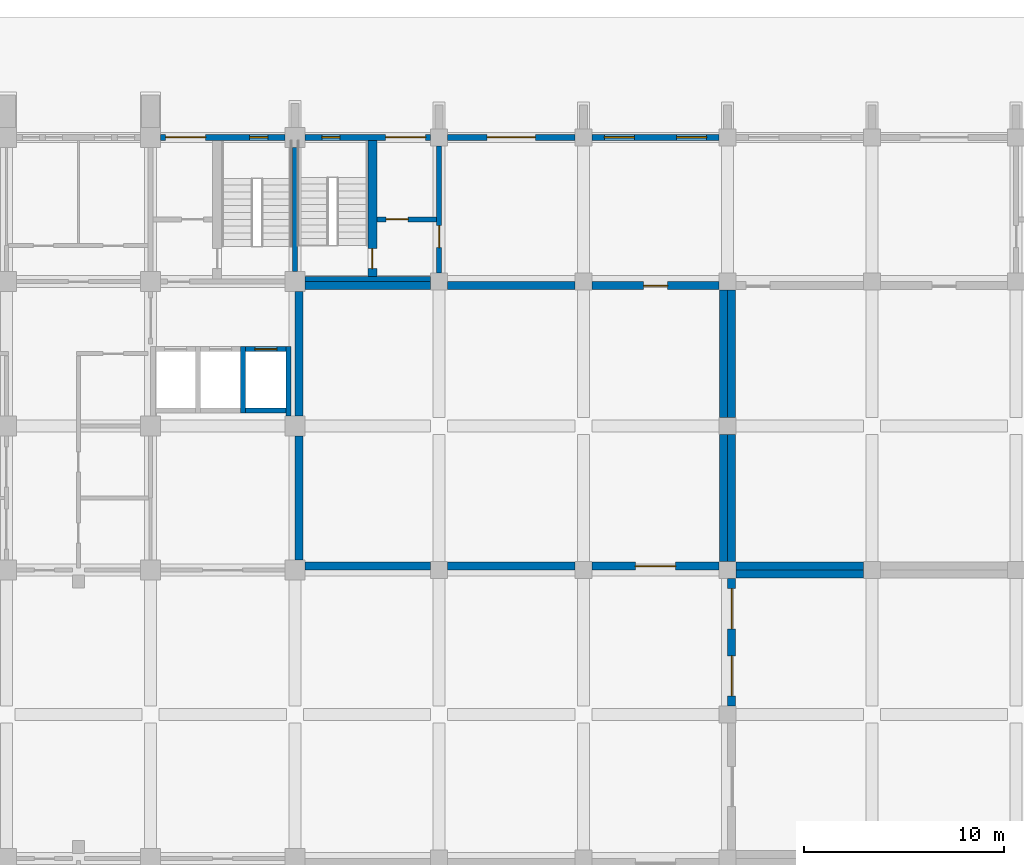
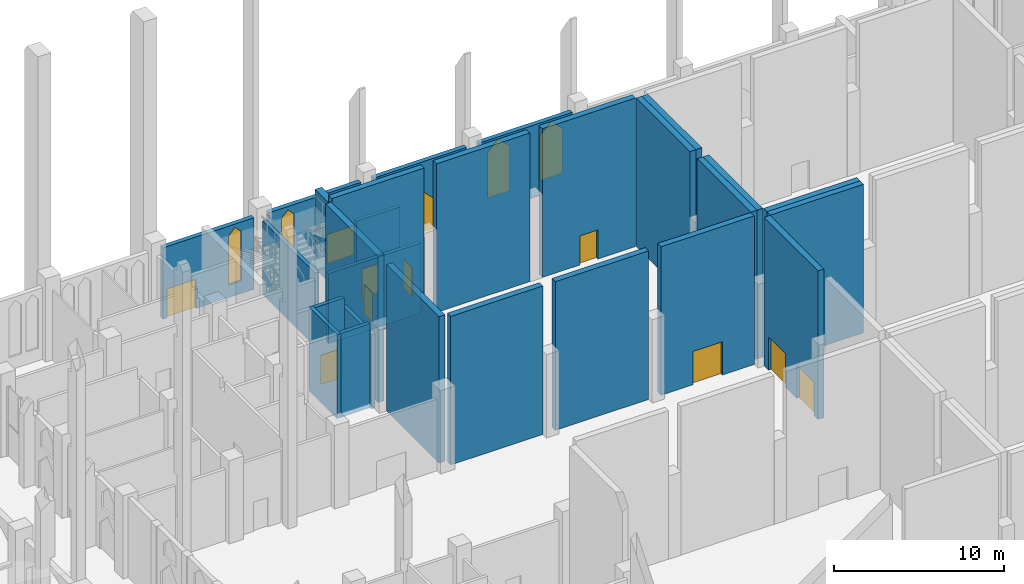
# One storey, part 35 of 50: 28 walls, 11 doors, 4 windows, 15 openings.
"""IFC4 building model written with IfcOpenShell, lengths in metres."""

from ifc_helpers import new_model, si_unit, direction, frame, frame_2d, origin, place, context, subcontext, project, spatial, polyline, rectangle, outline, extrude, material, layer, layer_set, type_object, element, fill, save


model = new_model("IFC4")

# Units and contexts
model_context = context("Model", 3, precision=1e-05, world=origin(), true_north=direction((0.0, 1.0)))
body_context = subcontext(model_context, "Body", "Model", "MODEL_VIEW")
ifc_project = project(units=[si_unit("LENGTHUNIT", "METRE"), si_unit("AREAUNIT", "SQUARE_METRE"), si_unit("VOLUMEUNIT", "CUBIC_METRE"), si_unit("PLANEANGLEUNIT", "RADIAN"), si_unit("MASSUNIT", "GRAM", prefix="KILO")], contexts=[model_context])

# Site, building, storey
site_placement = place(None, origin())
site = spatial("IfcSite", under=ifc_project, at=site_placement, CompositionType="ELEMENT")
building_placement = place(site_placement, origin())
building = spatial("IfcBuilding", under=site, at=building_placement, Name="Silangan Lancet Faculty of Sciences", CompositionType="ELEMENT")
storey_placement = place(building_placement, origin())
storey = spatial("IfcBuildingStorey", under=building, at=storey_placement, Name="L00", CompositionType="ELEMENT", Elevation=0.0)

# Wall, openings, window, door
ifc_material_1 = material(Name="Concrete C40/50 precast", Category="concrete")
ifc_layer_1 = layer(ifc_material_1, 0.300048828125)
ifc_layer_set_1 = layer_set([ifc_layer_1], Name="Concrete C40/50 precast")
wall_type_1 = type_object("IfcWallType", Name="EW2 Turret enclosure wall", PredefinedType="STANDARD", material=ifc_layer_set_1)
wall_1_placement = place(storey_placement, frame((35.574951171875, 57.60009765625, 0.0), z_axis=(0.0, 0.0, 1.0), x_axis=(-1.0, 0.0, 0.0)))
wall_1 = element("IfcWall", 1, at=wall_1_placement, inside=storey, type_object=wall_type_1, Name="EW-L00-N-NAB-05", PredefinedType="STANDARD", context=body_context, shape_type="SweptSolid", body=[
    extrude(rectangle(XDim=6.27490234375, YDim=0.300048828125, at=frame_2d((3.137451171875, 0.0))), origin(), (0.0, 0.0, 1.0), 5.14990234375),
])
opening_1_placement = place(wall_1_placement, frame((0.25, 0.0, 0.0)))
opening_1 = element("IfcOpeningElement", 2, at=opening_1_placement, cuts=wall_1, Name="Opening L00-909", PredefinedType="OPENING", context=body_context, shape_type="SweptSolid", body=[
    extrude(rectangle(XDim=2.0, YDim=2.10009765625, at=frame_2d((1.0, 1.050048828125))), frame((0.0, 0.159912109375, 0.0), z_axis=(0.0, -1.0, 0.0), x_axis=(1.0, 0.0, 0.0)), (0.0, 0.0, 1.0), 0.320068359375),
])
opening_2_placement = place(wall_1_placement, frame((4.52490234375, 0.0, 0.89990234375)))
opening_2 = element("IfcOpeningElement", 3, at=opening_2_placement, cuts=wall_1, Name="Opening W2", PredefinedType="OPENING", context=body_context, shape_type="SweptSolid", body=[
    extrude(outline(polyline([(0.0, 0.0), (0.89990234375, 0.0), (0.89990234375, 3.550048828125), (0.449951171875, 4.0), (0.0, 3.550048828125), (0.0, 0.0)])), frame((0.0, 0.159912109375, 0.0), z_axis=(0.0, -1.0, 0.0), x_axis=(1.0, 0.0, 0.0)), (0.0, 0.0, 1.0), 0.320068359375),
])
ifc_material_2 = material(Name="Aluminium frame, laminated double glazing", Category="aluminium")
window_type_1 = type_object("IfcWindowType", Name="W2 Lancet window 900 x 4000", PartitioningType="SINGLE_PANEL", PredefinedType="WINDOW", material=ifc_material_2)
window_1_placement = place(opening_2_placement, origin())
window_1 = element("IfcWindow", 4, at=window_1_placement, inside=storey, type_object=window_type_1, Name="WIN-L00-N-NAB-05b", OverallHeight=4.0, OverallWidth=0.89990234375, PartitioningType="SINGLE_PANEL", PredefinedType="WINDOW", context=body_context, shape_type="SweptSolid", body=[
    extrude(outline(polyline([(0.0, 0.0), (0.89990234375, 0.0), (0.89990234375, 3.550048828125), (0.449951171875, 4.0), (0.0, 3.550048828125), (0.0, 0.0)])), frame((0.0, 0.030029296875, 0.0), z_axis=(0.0, -1.0, 0.0), x_axis=(1.0, 0.0, 0.0)), (0.0, 0.0, 1.0), 0.06005859375),
])
fill(opening_2, window_1)
ifc_material_3 = material(Name="Steel hollow-metal, fire rated", Category="steel")
door_type_1 = type_object("IfcDoorType", Name="XD2 Exit passage door pair 2000 x 2100", OperationType="DOUBLE_DOOR_SINGLE_SWING", PredefinedType="DOOR", material=ifc_material_3)
door_1_placement = place(opening_1_placement, frame((2.0, 0.0, 0.0), z_axis=(0.0, 0.0, 1.0), x_axis=(-1.0, 0.0, 0.0)))
door_1 = element("IfcDoor", 5, at=door_1_placement, inside=storey, type_object=door_type_1, Name="DOOR-L00-909", OperationType="DOUBLE_DOOR_SINGLE_SWING", OverallHeight=2.10009765625, OverallWidth=2.0, PredefinedType="DOOR", context=body_context, shape_type="SweptSolid", body=[
    extrude(rectangle(XDim=2.0, YDim=2.10009765625, at=frame_2d((1.0, 1.050048828125))), frame((0.0, 0.025146484375, 0.0), z_axis=(0.0, -1.0, 0.0), x_axis=(1.0, 0.0, 0.0)), (0.0, 0.0, 1.0), 0.050048828125),
])
fill(opening_1, door_1)

wall_2_placement = place(storey_placement, frame((28.300048828125, 57.60009765625, 0.0), z_axis=(0.0, 0.0, 1.0), x_axis=(-1.0, 0.0, 0.0)))
wall_2 = element("IfcWall", 6, at=wall_2_placement, inside=storey, type_object=wall_type_1, Name="EW-L00-N-NT-00", PredefinedType="STANDARD", context=body_context, shape_type="SweptSolid", body=[
    extrude(rectangle(XDim=6.199951171875, YDim=0.300048828125, at=frame_2d((3.10009765625, 0.0))), origin(), (0.0, 0.0, 1.0), 5.14990234375),
])
opening_3_placement = place(wall_2_placement, frame((3.949951171875, 0.0, 0.0)))
opening_3 = element("IfcOpeningElement", 7, at=opening_3_placement, cuts=wall_2, Name="Opening L00-906", PredefinedType="OPENING", context=body_context, shape_type="SweptSolid", body=[
    extrude(rectangle(XDim=2.0, YDim=2.10009765625, at=frame_2d((1.0, 1.050048828125))), frame((0.0, 0.159912109375, 0.0), z_axis=(0.0, -1.0, 0.0), x_axis=(1.0, 0.0, 0.0)), (0.0, 0.0, 1.0), 0.320068359375),
])
opening_4_placement = place(wall_2_placement, frame((0.85009765625, 0.0, 0.89990234375)))
opening_4 = element("IfcOpeningElement", 8, at=opening_4_placement, cuts=wall_2, Name="Opening W2", PredefinedType="OPENING", context=body_context, shape_type="SweptSolid", body=[
    extrude(outline(polyline([(0.0, 0.0), (0.89990234375, 0.0), (0.89990234375, 3.550048828125), (0.449951171875, 4.0), (0.0, 3.550048828125), (0.0, 0.0)])), frame((0.0, 0.159912109375, 0.0), z_axis=(0.0, -1.0, 0.0), x_axis=(1.0, 0.0, 0.0)), (0.0, 0.0, 1.0), 0.320068359375),
])
window_2_placement = place(opening_4_placement, origin())
window_2 = element("IfcWindow", 9, at=window_2_placement, inside=storey, type_object=window_type_1, Name="WIN-L00-N-NT-00a", OverallHeight=4.0, OverallWidth=0.89990234375, PartitioningType="SINGLE_PANEL", PredefinedType="WINDOW", context=body_context, shape_type="SweptSolid", body=[
    extrude(outline(polyline([(0.0, 0.0), (0.89990234375, 0.0), (0.89990234375, 3.550048828125), (0.449951171875, 4.0), (0.0, 3.550048828125), (0.0, 0.0)])), frame((0.0, 0.030029296875, 0.0), z_axis=(0.0, -1.0, 0.0), x_axis=(1.0, 0.0, 0.0)), (0.0, 0.0, 1.0), 0.06005859375),
])
fill(opening_4, window_2)
door_2_placement = place(opening_3_placement, frame((2.0, 0.0, 0.0), z_axis=(0.0, 0.0, 1.0), x_axis=(-1.0, 0.0, 0.0)))
door_2 = element("IfcDoor", 10, at=door_2_placement, inside=storey, type_object=door_type_1, Name="DOOR-L00-906", OperationType="DOUBLE_DOOR_SINGLE_SWING", OverallHeight=2.10009765625, OverallWidth=2.0, PredefinedType="DOOR", context=body_context, shape_type="SweptSolid", body=[
    extrude(rectangle(XDim=2.0, YDim=2.10009765625, at=frame_2d((1.0, 1.050048828125))), frame((0.0, 0.025146484375, 0.0), z_axis=(0.0, -1.0, 0.0), x_axis=(1.0, 0.0, 0.0)), (0.0, 0.0, 1.0), 0.050048828125),
])
fill(opening_3, door_2)

# Wall, openings, windows
ifc_material_4 = material(Name="Concrete C40/50", Category="concrete")
ifc_layer_2 = layer(ifc_material_4, 0.300048828125)
ifc_layer_set_2 = layer_set([ifc_layer_2], Name="Concrete C40/50")
wall_type_2 = type_object("IfcWallType", Name="EW6 Stone-faced base wall", PredefinedType="STANDARD", material=ifc_layer_set_2)
wall_3_placement = place(storey_placement, frame((49.97509765625, 57.60009765625, 0.0), z_axis=(0.0, 0.0, 1.0), x_axis=(-1.0, 0.0, 0.0)))
wall_3 = element("IfcWall", 11, at=wall_3_placement, inside=storey, type_object=wall_type_2, Name="EW-L00-N-NAB-03", PredefinedType="STANDARD", context=body_context, shape_type="SweptSolid", body=[
    extrude(rectangle(XDim=6.35009765625, YDim=0.300048828125, at=frame_2d((3.175048828125, 0.0))), origin(), (0.0, 0.0, 1.0), 5.14990234375),
])
opening_5_placement = place(wall_3_placement, frame((0.625, 0.0, 0.89990234375)))
opening_5 = element("IfcOpeningElement", 12, at=opening_5_placement, cuts=wall_3, Name="Opening W3", PredefinedType="OPENING", context=body_context, shape_type="SweptSolid", body=[
    extrude(outline(polyline([(0.0, 0.0), (1.5, 0.0), (1.5, 3.25), (0.75, 4.0), (0.0, 3.25), (0.0, 0.0)])), frame((0.0, 0.159912109375, 0.0), z_axis=(0.0, -1.0, 0.0), x_axis=(1.0, 0.0, 0.0)), (0.0, 0.0, 1.0), 0.320068359375),
])
opening_6_placement = place(wall_3_placement, frame((4.22509765625, 0.0, 0.89990234375)))
opening_6 = element("IfcOpeningElement", 13, at=opening_6_placement, cuts=wall_3, Name="Opening W3", PredefinedType="OPENING", context=body_context, shape_type="SweptSolid", body=[
    extrude(outline(polyline([(0.0, 0.0), (1.5, 0.0), (1.5, 3.25), (0.75, 4.0), (0.0, 3.25), (0.0, 0.0)])), frame((0.0, 0.159912109375, 0.0), z_axis=(0.0, -1.0, 0.0), x_axis=(1.0, 0.0, 0.0)), (0.0, 0.0, 1.0), 0.320068359375),
])
ifc_material_5 = material(Name="Aluminium frame, laminated double glazing", Category="aluminium")
window_type_2 = type_object("IfcWindowType", Name="W3 Lancet window 1500 x 4000", PartitioningType="SINGLE_PANEL", PredefinedType="WINDOW", material=ifc_material_5)
window_3_placement = place(opening_5_placement, origin())
window_3 = element("IfcWindow", 14, at=window_3_placement, inside=storey, type_object=window_type_2, Name="WIN-L00-N-NAB-03a", OverallHeight=4.0, OverallWidth=1.5, PartitioningType="SINGLE_PANEL", PredefinedType="WINDOW", context=body_context, shape_type="SweptSolid", body=[
    extrude(outline(polyline([(0.0, 0.0), (1.5, 0.0), (1.5, 3.25), (0.75, 4.0), (0.0, 3.25), (0.0, 0.0)])), frame((0.0, 0.030029296875, 0.0), z_axis=(0.0, -1.0, 0.0), x_axis=(1.0, 0.0, 0.0)), (0.0, 0.0, 1.0), 0.06005859375),
])
fill(opening_5, window_3)
window_4_placement = place(opening_6_placement, origin())
window_4 = element("IfcWindow", 15, at=window_4_placement, inside=storey, type_object=window_type_2, Name="WIN-L00-N-NAB-03b", OverallHeight=4.0, OverallWidth=1.5, PartitioningType="SINGLE_PANEL", PredefinedType="WINDOW", context=body_context, shape_type="SweptSolid", body=[
    extrude(outline(polyline([(0.0, 0.0), (1.5, 0.0), (1.5, 3.25), (0.75, 4.0), (0.0, 3.25), (0.0, 0.0)])), frame((0.0, 0.030029296875, 0.0), z_axis=(0.0, -1.0, 0.0), x_axis=(1.0, 0.0, 0.0)), (0.0, 0.0, 1.0), 0.06005859375),
])
fill(opening_6, window_4)

# Wall, opening, door
wall_4_placement = place(storey_placement, frame((42.77490234375, 57.60009765625, 0.0), z_axis=(0.0, 0.0, 1.0), x_axis=(-1.0, 0.0, 0.0)))
wall_4 = element("IfcWall", 16, at=wall_4_placement, inside=storey, type_object=wall_type_2, Name="EW-L00-N-NAB-04", PredefinedType="STANDARD", context=body_context, shape_type="SweptSolid", body=[
    extrude(rectangle(XDim=6.349853515625, YDim=0.300048828125, at=frame_2d((3.1748046875, 0.0))), origin(), (0.0, 0.0, 1.0), 5.14990234375),
])
opening_7_placement = place(wall_4_placement, frame((1.97509765625, 0.0, 0.0)))
opening_7 = element("IfcOpeningElement", 17, at=opening_7_placement, cuts=wall_4, Name="Opening L00-914", PredefinedType="OPENING", context=body_context, shape_type="SweptSolid", body=[
    extrude(outline(polyline([(0.0, 0.0), (2.39990234375, 0.0), (2.39990234375, 2.0), (1.199951171875, 3.199951171875), (0.0, 2.0), (0.0, 0.0)])), frame((0.0, 0.159912109375, 0.0), z_axis=(0.0, -1.0, 0.0), x_axis=(1.0, 0.0, 0.0)), (0.0, 0.0, 1.0), 0.320068359375),
])
ifc_material_6 = material(Name="Aluminium frame, laminated glazing", Category="aluminium")
door_type_2 = type_object("IfcDoorType", Name="XD5 Entrance door pair 2400 x 3200", OperationType="DOUBLE_DOOR_SINGLE_SWING", PredefinedType="DOOR", material=ifc_material_6)
door_3_placement = place(opening_7_placement, frame((2.39990234375, 0.0, 0.0), z_axis=(0.0, 0.0, 1.0), x_axis=(-1.0, 0.0, 0.0)))
door_3 = element("IfcDoor", 18, at=door_3_placement, inside=storey, type_object=door_type_2, Name="DOOR-L00-914", OperationType="DOUBLE_DOOR_SINGLE_SWING", OverallHeight=3.199951171875, OverallWidth=2.39990234375, PredefinedType="DOOR", context=body_context, shape_type="SweptSolid", body=[
    extrude(outline(polyline([(2.39990234375, 2.0), (1.199951171875, 3.199951171875), (0.0, 2.0), (0.0, 0.0), (2.39990234375, 0.0), (2.39990234375, 2.0)])), frame((0.0, 0.025146484375, 0.0), z_axis=(0.0, -1.0, 0.0), x_axis=(1.0, 0.0, 0.0)), (0.0, 0.0, 1.0), 0.050048828125),
])
fill(opening_7, door_3)

# Walls
ifc_material_7 = material(Name="Concrete C35/45", Category="concrete")
ifc_layer_3 = layer(ifc_material_7, 0.39990234375)
ifc_layer_set_3 = layer_set([ifc_layer_3], Name="Concrete C35/45")
wall_type_3 = type_object("IfcWallType", Name="Interior wall PW10 Theatre box wall RC 400", PredefinedType="SOLIDWALL", material=ifc_layer_set_3)
wall_5_placement = place(storey_placement, frame((50.824951171875, 35.800048828125, 0.0), z_axis=(0.0, 0.0, 1.0), x_axis=(1.0, 0.0, 0.0)))
element("IfcWall", 19, at=wall_5_placement, inside=storey, type_object=wall_type_3, Name="Theatre box wall RC 400", PredefinedType="SOLIDWALL", context=body_context, shape_type="SweptSolid", body=[
    extrude(rectangle(XDim=6.35009765625, YDim=0.39990234375, at=frame_2d((3.175048828125, 0.0))), origin(), (0.0, 0.0, 1.0), 10.699951171875),
])
wall_6_placement = place(storey_placement, frame((29.300048828125, 36.199951171875, 0.0), z_axis=(0.0, 0.0, 1.0), x_axis=(1.0, 0.0, 0.0)))
element("IfcWall", 20, at=wall_6_placement, inside=storey, type_object=wall_type_3, Name="Theatre box wall RC 400", PredefinedType="SOLIDWALL", context=body_context, shape_type="SweptSolid", body=[
    extrude(rectangle(XDim=6.27490234375, YDim=0.39990234375, at=frame_2d((3.137451171875, 0.0))), origin(), (0.0, 0.0, 1.0), 10.699951171875),
])
wall_7_placement = place(storey_placement, frame((36.425048828125, 36.199951171875, 0.0), z_axis=(0.0, 0.0, 1.0), x_axis=(1.0, 0.0, 0.0)))
element("IfcWall", 21, at=wall_7_placement, inside=storey, type_object=wall_type_3, Name="Theatre box wall RC 400", PredefinedType="SOLIDWALL", context=body_context, shape_type="SweptSolid", body=[
    extrude(rectangle(XDim=6.349853515625, YDim=0.39990234375, at=frame_2d((3.1748046875, 0.0))), origin(), (0.0, 0.0, 1.0), 10.699951171875),
])

# Wall, opening, door
wall_8_placement = place(storey_placement, frame((43.625, 36.199951171875, 0.0), z_axis=(0.0, 0.0, 1.0), x_axis=(1.0, 0.0, 0.0)))
wall_8 = element("IfcWall", 22, at=wall_8_placement, inside=storey, type_object=wall_type_3, Name="Theatre box wall RC 400", PredefinedType="SOLIDWALL", context=body_context, shape_type="SweptSolid", body=[
    extrude(rectangle(XDim=6.35009765625, YDim=0.39990234375, at=frame_2d((3.175048828125, 0.0))), origin(), (0.0, 0.0, 1.0), 10.699951171875),
])
opening_8_placement = place(wall_8_placement, frame((2.175048828125, 0.0, 0.0)))
opening_8 = element("IfcOpeningElement", 23, at=opening_8_placement, cuts=wall_8, Name="Opening L00-014", PredefinedType="OPENING", context=body_context, shape_type="SweptSolid", body=[
    extrude(rectangle(XDim=2.0, YDim=2.39990234375, at=frame_2d((1.0, 1.199951171875))), frame((0.0, 0.2099609375, 0.0), z_axis=(0.0, -1.0, 0.0), x_axis=(1.0, 0.0, 0.0)), (0.0, 0.0, 1.0), 0.419921875),
])
ifc_material_8 = material(Name="Steel fire door set", Category="steel")
door_type_3 = type_object("IfcDoorType", Name="Door D6 Hall double door 2000 x 2400", OperationType="DOUBLE_DOOR_SINGLE_SWING", PredefinedType="DOOR", material=ifc_material_8)
door_4_placement = place(opening_8_placement, origin())
door_4 = element("IfcDoor", 24, at=door_4_placement, inside=storey, type_object=door_type_3, Name="Hall double door 2000 x 2400", OperationType="DOUBLE_DOOR_SINGLE_SWING", OverallHeight=2.39990234375, OverallWidth=2.0, PredefinedType="DOOR", context=body_context, shape_type="SweptSolid", body=[
    extrude(rectangle(XDim=2.0, YDim=2.39990234375, at=frame_2d((1.0, 1.199951171875))), frame((0.0, 0.02490234375, 0.0), z_axis=(0.0, -1.0, 0.0), x_axis=(1.0, 0.0, 0.0)), (0.0, 0.0, 1.0), 0.050048828125),
])
fill(opening_8, door_4)

# Walls
wall_9_placement = place(storey_placement, frame((50.824951171875, 36.199951171875, 0.0), z_axis=(0.0, 0.0, 1.0), x_axis=(1.0, 0.0, 0.0)))
element("IfcWall", 25, at=wall_9_placement, inside=storey, type_object=wall_type_3, Name="Theatre box wall RC 400", PredefinedType="SOLIDWALL", context=body_context, shape_type="SweptSolid", body=[
    extrude(rectangle(XDim=6.35009765625, YDim=0.39990234375, at=frame_2d((3.175048828125, 0.0))), origin(), (0.0, 0.0, 1.0), 10.699951171875),
])
wall_10_placement = place(storey_placement, frame((29.300048828125, 50.199951171875, 0.0), z_axis=(0.0, 0.0, 1.0), x_axis=(1.0, 0.0, 0.0)))
element("IfcWall", 26, at=wall_10_placement, inside=storey, type_object=wall_type_3, Name="Theatre box wall RC 400", PredefinedType="SOLIDWALL", context=body_context, shape_type="SweptSolid", body=[
    extrude(rectangle(XDim=6.27490234375, YDim=0.39990234375, at=frame_2d((3.137451171875, 0.0))), origin(), (0.0, 0.0, 1.0), 10.699951171875),
])
wall_11_placement = place(storey_placement, frame((36.425048828125, 50.199951171875, 0.0), z_axis=(0.0, 0.0, 1.0), x_axis=(1.0, 0.0, 0.0)))
element("IfcWall", 27, at=wall_11_placement, inside=storey, type_object=wall_type_3, Name="Theatre box wall RC 400", PredefinedType="SOLIDWALL", context=body_context, shape_type="SweptSolid", body=[
    extrude(rectangle(XDim=6.349853515625, YDim=0.39990234375, at=frame_2d((3.1748046875, 0.0))), origin(), (0.0, 0.0, 1.0), 10.699951171875),
])

# Wall, opening, door
wall_12_placement = place(storey_placement, frame((43.625, 50.199951171875, 0.0), z_axis=(0.0, 0.0, 1.0), x_axis=(1.0, 0.0, 0.0)))
wall_12 = element("IfcWall", 28, at=wall_12_placement, inside=storey, type_object=wall_type_3, Name="Theatre box wall RC 400", PredefinedType="SOLIDWALL", context=body_context, shape_type="SweptSolid", body=[
    extrude(rectangle(XDim=6.35009765625, YDim=0.39990234375, at=frame_2d((3.175048828125, 0.0))), origin(), (0.0, 0.0, 1.0), 10.699951171875),
])
opening_9_placement = place(wall_12_placement, frame((2.574951171875, 0.0, 0.0)))
opening_9 = element("IfcOpeningElement", 29, at=opening_9_placement, cuts=wall_12, Name="Opening L00-013", PredefinedType="OPENING", context=body_context, shape_type="SweptSolid", body=[
    extrude(rectangle(XDim=1.199951171875, YDim=2.10009765625, at=frame_2d((0.60009765625, 1.050048828125))), frame((0.0, 0.2099609375, 0.0), z_axis=(0.0, -1.0, 0.0), x_axis=(1.0, 0.0, 0.0)), (0.0, 0.0, 1.0), 0.419921875),
])
ifc_material_9 = material(Name="Steel fire door set", Category="steel")
door_type_4 = type_object("IfcDoorType", Name="Door D3 Theatre exit door 1200 x 2100", OperationType="SINGLE_SWING_RIGHT", PredefinedType="DOOR", material=ifc_material_9)
door_5_placement = place(opening_9_placement, origin())
door_5 = element("IfcDoor", 30, at=door_5_placement, inside=storey, type_object=door_type_4, Name="Theatre exit door 1200 x 2100", OperationType="SINGLE_SWING_RIGHT", OverallHeight=2.10009765625, OverallWidth=1.199951171875, PredefinedType="DOOR", context=body_context, shape_type="SweptSolid", body=[
    extrude(rectangle(XDim=1.199951171875, YDim=2.10009765625, at=frame_2d((0.60009765625, 1.050048828125))), frame((0.0, 0.02490234375, 0.0), z_axis=(0.0, -1.0, 0.0), x_axis=(1.0, 0.0, 0.0)), (0.0, 0.0, 1.0), 0.050048828125),
])
fill(opening_9, door_5)

# Walls
for number, where, z_axis, x_axis, name in (
    (31, (29.0, 36.5, 0.0), (0.0, 0.0, 1.0), (0.0, 1.0, 0.0), "Theatre box wall RC 400"),
    (32, (29.0, 43.699951171875, 0.0), (0.0, 0.0, 1.0), (0.0, 1.0, 0.0), "Theatre box wall RC 400"),
):
    element("IfcWall", number, at=place(storey_placement, frame(where, z_axis=z_axis, x_axis=x_axis)), inside=storey, type_object=wall_type_3, Name=name, PredefinedType="SOLIDWALL", context=body_context, shape_type="SweptSolid", body=[
        extrude(rectangle(XDim=6.199951171875, YDim=0.39990234375, at=frame_2d((3.10009765625, 0.0))), origin(), (0.0, 0.0, 1.0), 10.550048828125),
    ])
wall_13_placement = place(storey_placement, frame((50.199951171875, 36.425048828125, 0.0), z_axis=(0.0, 0.0, 1.0), x_axis=(0.0, 1.0, 0.0)))
element("IfcWall", 33, at=wall_13_placement, inside=storey, type_object=wall_type_3, Name="Theatre box wall RC 400", PredefinedType="SOLIDWALL", context=body_context, shape_type="SweptSolid", body=[
    extrude(rectangle(XDim=6.349853515625, YDim=0.39990234375, at=frame_2d((3.1748046875, 0.0))), origin(), (0.0, 0.0, 1.0), 10.699951171875),
])
wall_14_placement = place(storey_placement, frame((50.199951171875, 43.625, 0.0), z_axis=(0.0, 0.0, 1.0), x_axis=(0.0, 1.0, 0.0)))
element("IfcWall", 34, at=wall_14_placement, inside=storey, type_object=wall_type_3, Name="Theatre box wall RC 400", PredefinedType="SOLIDWALL", context=body_context, shape_type="SweptSolid", body=[
    extrude(rectangle(XDim=6.35009765625, YDim=0.39990234375, at=frame_2d((3.175048828125, 0.0))), origin(), (0.0, 0.0, 1.0), 10.699951171875),
])

# Wall, openings, doors
wall_15_placement = place(storey_placement, frame((50.60009765625, 29.22509765625, 0.0), z_axis=(0.0, 0.0, 1.0), x_axis=(0.0, 1.0, 0.0)))
wall_15 = element("IfcWall", 35, at=wall_15_placement, inside=storey, type_object=wall_type_3, Name="Theatre box wall RC 400", PredefinedType="SOLIDWALL", context=body_context, shape_type="SweptSolid", body=[
    extrude(rectangle(XDim=6.349853515625, YDim=0.39990234375, at=frame_2d((3.1748046875, 0.0))), origin(), (0.0, 0.0, 1.0), 10.699951171875),
])
opening_10_placement = place(wall_15_placement, frame((3.849853515625, 0.0, 0.0)))
opening_10 = element("IfcOpeningElement", 36, at=opening_10_placement, cuts=wall_15, Name="Opening L00-018", PredefinedType="OPENING", context=body_context, shape_type="SweptSolid", body=[
    extrude(rectangle(XDim=2.0, YDim=2.39990234375, at=frame_2d((1.0, 1.199951171875))), frame((0.0, 0.2099609375, 0.0), z_axis=(0.0, -1.0, 0.0), x_axis=(1.0, 0.0, 0.0)), (0.0, 0.0, 1.0), 0.419921875),
])
opening_11_placement = place(wall_15_placement, frame((0.5, 0.0, 0.0)))
opening_11 = element("IfcOpeningElement", 37, at=opening_11_placement, cuts=wall_15, Name="Opening L00-019", PredefinedType="OPENING", context=body_context, shape_type="SweptSolid", body=[
    extrude(rectangle(XDim=2.0, YDim=2.39990234375, at=frame_2d((1.0, 1.199951171875))), frame((0.0, 0.2099609375, 0.0), z_axis=(0.0, -1.0, 0.0), x_axis=(1.0, 0.0, 0.0)), (0.0, 0.0, 1.0), 0.419921875),
])
door_6_placement = place(opening_10_placement, origin())
door_6 = element("IfcDoor", 38, at=door_6_placement, inside=storey, type_object=door_type_3, Name="Hall double door 2000 x 2400", OperationType="DOUBLE_DOOR_SINGLE_SWING", OverallHeight=2.39990234375, OverallWidth=2.0, PredefinedType="DOOR", context=body_context, shape_type="SweptSolid", body=[
    extrude(rectangle(XDim=2.0, YDim=2.39990234375, at=frame_2d((1.0, 1.199951171875))), frame((0.0, 0.02490234375, 0.0), z_axis=(0.0, -1.0, 0.0), x_axis=(1.0, 0.0, 0.0)), (0.0, 0.0, 1.0), 0.050048828125),
])
fill(opening_10, door_6)
door_7_placement = place(opening_11_placement, origin())
door_7 = element("IfcDoor", 39, at=door_7_placement, inside=storey, type_object=door_type_3, Name="Hall double door 2000 x 2400", OperationType="DOUBLE_DOOR_SINGLE_SWING", OverallHeight=2.39990234375, OverallWidth=2.0, PredefinedType="DOOR", context=body_context, shape_type="SweptSolid", body=[
    extrude(rectangle(XDim=2.0, YDim=2.39990234375, at=frame_2d((1.0, 1.199951171875))), frame((0.0, 0.02490234375, 0.0), z_axis=(0.0, -1.0, 0.0), x_axis=(1.0, 0.0, 0.0)), (0.0, 0.0, 1.0), 0.050048828125),
])
fill(opening_11, door_7)

# Walls
wall_16_placement = place(storey_placement, frame((50.60009765625, 36.425048828125, 0.0), z_axis=(0.0, 0.0, 1.0), x_axis=(0.0, 1.0, 0.0)))
element("IfcWall", 40, at=wall_16_placement, inside=storey, type_object=wall_type_3, Name="Theatre box wall RC 400", PredefinedType="SOLIDWALL", context=body_context, shape_type="SweptSolid", body=[
    extrude(rectangle(XDim=6.349853515625, YDim=0.39990234375, at=frame_2d((3.1748046875, 0.0))), origin(), (0.0, 0.0, 1.0), 10.699951171875),
])
wall_17_placement = place(storey_placement, frame((50.60009765625, 43.625, 0.0), z_axis=(0.0, 0.0, 1.0), x_axis=(0.0, 1.0, 0.0)))
element("IfcWall", 41, at=wall_17_placement, inside=storey, type_object=wall_type_3, Name="Theatre box wall RC 400", PredefinedType="SOLIDWALL", context=body_context, shape_type="SweptSolid", body=[
    extrude(rectangle(XDim=6.35009765625, YDim=0.39990234375, at=frame_2d((3.175048828125, 0.0))), origin(), (0.0, 0.0, 1.0), 10.699951171875),
])
ifc_material_10 = material(Name="Concrete C40/50", Category="concrete")
ifc_layer_4 = layer(ifc_material_10, 0.25)
ifc_layer_set_4 = layer_set([ifc_layer_4], Name="Concrete C40/50")
wall_type_4 = type_object("IfcWallType", Name="LIFT SHAFT WALL RC 250", PredefinedType="SHEAR", material=ifc_layer_set_4)
wall_18_placement = place(storey_placement, frame((26.22509765625, 43.85009765625, -0.300048828125), z_axis=(0.0, 0.0, 1.0), x_axis=(0.0, 1.0, 0.0)))
element("IfcWall", 42, at=wall_18_placement, inside=storey, type_object=wall_type_4, Name="WALL-L00-NT-SW3", PredefinedType="SHEAR", context=body_context, shape_type="SweptSolid", body=[
    extrude(rectangle(XDim=3.2998046875, YDim=0.25, at=frame_2d((1.64990234375, 0.0))), origin(), (0.0, 0.0, 1.0), 6.050048828125),
])
wall_19_placement = place(storey_placement, frame((28.47509765625, 43.699951171875, -0.300048828125), z_axis=(0.0, 0.0, 1.0), x_axis=(0.0, 1.0, 0.0)))
element("IfcWall", 43, at=wall_19_placement, inside=storey, type_object=wall_type_4, Name="WALL-L00-NT-SW4", PredefinedType="SHEAR", context=body_context, shape_type="SweptSolid", body=[
    extrude(rectangle(XDim=3.449951171875, YDim=0.25, at=frame_2d((1.72509765625, 0.0))), origin(), (0.0, 0.0, 1.0), 5.35009765625),
])

# Wall, opening, door
wall_20_placement = place(storey_placement, frame((26.35009765625, 47.02490234375, -0.300048828125), z_axis=(0.0, 0.0, 1.0), x_axis=(1.0, 0.0, 0.0)))
wall_20 = element("IfcWall", 44, at=wall_20_placement, inside=storey, type_object=wall_type_4, Name="WALL-L00-NT-L3-F", PredefinedType="SHEAR", context=body_context, shape_type="SweptSolid", body=[
    extrude(rectangle(XDim=2.0, YDim=0.25, at=frame_2d((1.0, 0.0))), origin(), (0.0, 0.0, 1.0), 6.050048828125),
])
opening_12_placement = place(wall_20_placement, frame((0.449951171875, 0.0, 0.300048828125)))
opening_12 = element("IfcOpeningElement", 45, at=opening_12_placement, cuts=wall_20, Name="Opening L00-806", PredefinedType="OPENING", context=body_context, shape_type="SweptSolid", body=[
    extrude(rectangle(XDim=1.10009765625, YDim=2.10009765625, at=frame_2d((0.550048828125, 1.050048828125))), frame((0.0, 0.135009765625, 0.0), z_axis=(0.0, -1.0, 0.0), x_axis=(1.0, 0.0, 0.0)), (0.0, 0.0, 1.0), 0.27001953125),
])
ifc_material_11 = material(Name="Stainless steel sliding door", Category="steel")
door_type_5 = type_object("IfcDoorType", Name="LD1 Lift landing door 1100x2100", OperationType="SLIDING_TO_LEFT", PredefinedType="DOOR", material=ifc_material_11)
door_8_placement = place(opening_12_placement, origin())
door_8 = element("IfcDoor", 46, at=door_8_placement, inside=storey, type_object=door_type_5, Name="Landing door NT-L3 L00", OperationType="SLIDING_TO_LEFT", OverallHeight=2.10009765625, OverallWidth=1.10009765625, PredefinedType="DOOR", context=body_context, shape_type="SweptSolid", body=[
    extrude(rectangle(XDim=1.10009765625, YDim=2.10009765625, at=frame_2d((0.550048828125, 1.050048828125))), frame((0.0, 0.02490234375, 0.0), z_axis=(0.0, -1.0, 0.0), x_axis=(1.0, 0.0, 0.0)), (0.0, 0.0, 1.0), 0.050048828125),
])
fill(opening_12, door_8)

# Wall
wall_21_placement = place(storey_placement, frame((26.35009765625, 43.97509765625, -0.300048828125), z_axis=(0.0, 0.0, 1.0), x_axis=(1.0, 0.0, 0.0)))
element("IfcWall", 47, at=wall_21_placement, inside=storey, type_object=wall_type_4, Name="WALL-L00-NT-L3-B", PredefinedType="SHEAR", context=body_context, shape_type="SweptSolid", body=[
    extrude(rectangle(XDim=2.0, YDim=0.25, at=frame_2d((1.0, 0.0))), origin(), (0.0, 0.0, 1.0), 6.050048828125),
])

# Wall, opening, door
ifc_material_12 = material(Name="Concrete C40/50", Category="concrete")
ifc_layer_5 = layer(ifc_material_12, 0.449951171875)
ifc_layer_set_5 = layer_set([ifc_layer_5], Name="Concrete C40/50")
wall_type_5 = type_object("IfcWallType", Name="TURRET CORE WALL RC 450", PredefinedType="SHEAR", material=ifc_layer_set_5)
wall_22_placement = place(storey_placement, frame((32.675048828125, 50.64990234375, 0.0), z_axis=(0.0, 0.0, 1.0), x_axis=(0.0, 1.0, 0.0)))
wall_22 = element("IfcWall", 48, at=wall_22_placement, inside=storey, type_object=wall_type_5, Name="WALL-L00-NAB-A-WELL", PredefinedType="SHEAR", context=body_context, shape_type="SweptSolid", body=[
    extrude(rectangle(XDim=6.800048828125, YDim=0.449951171875, at=frame_2d((3.39990234375, 0.0))), origin(), (0.0, 0.0, 1.0), 5.75),
])
opening_13_placement = place(wall_22_placement, frame((0.39990234375, 0.0, 0.0)))
opening_13 = element("IfcOpeningElement", 49, at=opening_13_placement, cuts=wall_22, Name="Opening L00-707", PredefinedType="OPENING", context=body_context, shape_type="SweptSolid", body=[
    extrude(rectangle(XDim=1.0, YDim=2.10009765625, at=frame_2d((0.5, 1.050048828125))), frame((0.0, 0.23486328125, 0.0), z_axis=(0.0, -1.0, 0.0), x_axis=(1.0, 0.0, 0.0)), (0.0, 0.0, 1.0), 0.469970703125),
])
ifc_material_13 = material(Name="Steel fire door set", Category="steel")
door_type_6 = type_object("IfcDoorType", Name="D71 Stair enclosure door 1000x2100", OperationType="SINGLE_SWING_LEFT", PredefinedType="DOOR", material=ifc_material_13)
door_9_placement = place(opening_13_placement, origin())
door_9 = element("IfcDoor", 50, at=door_9_placement, inside=storey, type_object=door_type_6, Name="Stair enclosure door NAB-A L00", OperationType="SINGLE_SWING_LEFT", OverallHeight=2.10009765625, OverallWidth=1.0, PredefinedType="DOOR", context=body_context, shape_type="SweptSolid", body=[
    extrude(rectangle(XDim=1.0, YDim=2.10009765625, at=frame_2d((0.5, 1.050048828125))), frame((0.0, 0.02490234375, 0.0), z_axis=(0.0, -1.0, 0.0), x_axis=(1.0, 0.0, 0.0)), (0.0, 0.0, 1.0), 0.050048828125),
])
fill(opening_13, door_9)

# Walls
ifc_material_14 = material(Name="Concrete C40/50", Category="concrete")
ifc_layer_6 = layer(ifc_material_14, 0.25)
ifc_layer_set_6 = layer_set([ifc_layer_6], Name="Concrete C40/50")
wall_type_6 = type_object("IfcWallType", Name="TURRET WALL RC 250", PredefinedType="SHEAR", material=ifc_layer_set_6)
wall_23_placement = place(storey_placement, frame((29.300048828125, 50.52490234375, 0.0), z_axis=(0.0, 0.0, 1.0), x_axis=(1.0, 0.0, 0.0)))
element("IfcWall", 51, at=wall_23_placement, inside=storey, type_object=wall_type_6, Name="WALL-L00-NAB-A-V", PredefinedType="SHEAR", context=body_context, shape_type="SweptSolid", body=[
    extrude(rectangle(XDim=6.27490234375, YDim=0.25, at=frame_2d((3.137451171875, 0.0))), origin(), (0.0, 0.0, 1.0), 5.050048828125),
])
wall_24_placement = place(storey_placement, frame((28.800048828125, 50.89990234375, -0.300048828125), z_axis=(0.0, 0.0, 1.0), x_axis=(0.0, 1.0, 0.0)))
element("IfcWall", 52, at=wall_24_placement, inside=storey, type_object=wall_type_6, Name="WALL-L00-NAB-A-W", PredefinedType="SHEAR", context=body_context, shape_type="SweptSolid", body=[
    extrude(rectangle(XDim=6.2001953125, YDim=0.25, at=frame_2d((3.10009765625, 0.0))), origin(), (0.0, 0.0, 1.0), 5.300048828125),
])

# Wall, opening, door
wall_25_placement = place(storey_placement, frame((36.0, 50.824951171875, 0.0), z_axis=(0.0, 0.0, 1.0), x_axis=(0.0, 1.0, 0.0)))
wall_25 = element("IfcWall", 53, at=wall_25_placement, inside=storey, type_object=wall_type_6, Name="WALL-L00-NAB-A-O", PredefinedType="SHEAR", context=body_context, shape_type="SweptSolid", body=[
    extrude(rectangle(XDim=6.35009765625, YDim=0.25, at=frame_2d((3.175048828125, 0.0))), origin(), (0.0, 0.0, 1.0), 5.0),
])
opening_14_placement = place(wall_25_placement, frame((1.27490234375, 0.0, 0.0)))
opening_14 = element("IfcOpeningElement", 54, at=opening_14_placement, cuts=wall_25, Name="Opening L00-708", PredefinedType="OPENING", context=body_context, shape_type="SweptSolid", body=[
    extrude(rectangle(XDim=1.10009765625, YDim=2.10009765625, at=frame_2d((0.550048828125, 1.050048828125))), frame((0.0, 0.135009765625, 0.0), z_axis=(0.0, -1.0, 0.0), x_axis=(1.0, 0.0, 0.0)), (0.0, 0.0, 1.0), 0.27001953125),
])
ifc_material_15 = material(Name="Steel fire door set", Category="steel")
door_type_7 = type_object("IfcDoorType", Name="D70 Stair vestibule door 1100x2100", OperationType="SINGLE_SWING_LEFT", PredefinedType="DOOR", material=ifc_material_15)
door_10_placement = place(opening_14_placement, origin())
door_10 = element("IfcDoor", 55, at=door_10_placement, inside=storey, type_object=door_type_7, Name="Stair vestibule door NAB-A L00", OperationType="SINGLE_SWING_LEFT", OverallHeight=2.10009765625, OverallWidth=1.10009765625, PredefinedType="DOOR", context=body_context, shape_type="SweptSolid", body=[
    extrude(rectangle(XDim=1.10009765625, YDim=2.10009765625, at=frame_2d((0.550048828125, 1.050048828125))), frame((0.0, 0.02490234375, 0.0), z_axis=(0.0, -1.0, 0.0), x_axis=(1.0, 0.0, 0.0)), (0.0, 0.0, 1.0), 0.050048828125),
])
fill(opening_14, door_10)

wall_26_placement = place(storey_placement, frame((32.89990234375, 53.5, 0.0), z_axis=(0.0, 0.0, 1.0), x_axis=(1.0, 0.0, 0.0)))
wall_26 = element("IfcWall", 56, at=wall_26_placement, inside=storey, type_object=wall_type_6, Name="WALL-L00-NAB-A-RISER", PredefinedType="SHEAR", context=body_context, shape_type="SweptSolid", body=[
    extrude(rectangle(XDim=2.97509765625, YDim=0.25, at=frame_2d((1.487548828125, 0.0))), origin(), (0.0, 0.0, 1.0), 5.75),
])
opening_15_placement = place(wall_26_placement, frame((0.449951171875, 0.0, 0.0)))
opening_15 = element("IfcOpeningElement", 57, at=opening_15_placement, cuts=wall_26, Name="Opening L00-709", PredefinedType="OPENING", context=body_context, shape_type="SweptSolid", body=[
    extrude(rectangle(XDim=1.10009765625, YDim=2.10009765625, at=frame_2d((0.550048828125, 1.050048828125))), frame((0.0, 0.135009765625, 0.0), z_axis=(0.0, -1.0, 0.0), x_axis=(1.0, 0.0, 0.0)), (0.0, 0.0, 1.0), 0.27001953125),
])
door_11_placement = place(opening_15_placement, origin())
door_11 = element("IfcDoor", 58, at=door_11_placement, inside=storey, type_object=door_type_7, Name="Exit passageway door NAB-A L00", OperationType="SINGLE_SWING_RIGHT", OverallHeight=2.10009765625, OverallWidth=1.10009765625, PredefinedType="DOOR", context=body_context, shape_type="SweptSolid", body=[
    extrude(rectangle(XDim=1.10009765625, YDim=2.10009765625, at=frame_2d((0.550048828125, 1.050048828125))), frame((0.0, 0.02490234375, 0.0), z_axis=(0.0, -1.0, 0.0), x_axis=(1.0, 0.0, 0.0)), (0.0, 0.0, 1.0), 0.050048828125),
])
fill(opening_15, door_11)

save(model, "model.ifc")
